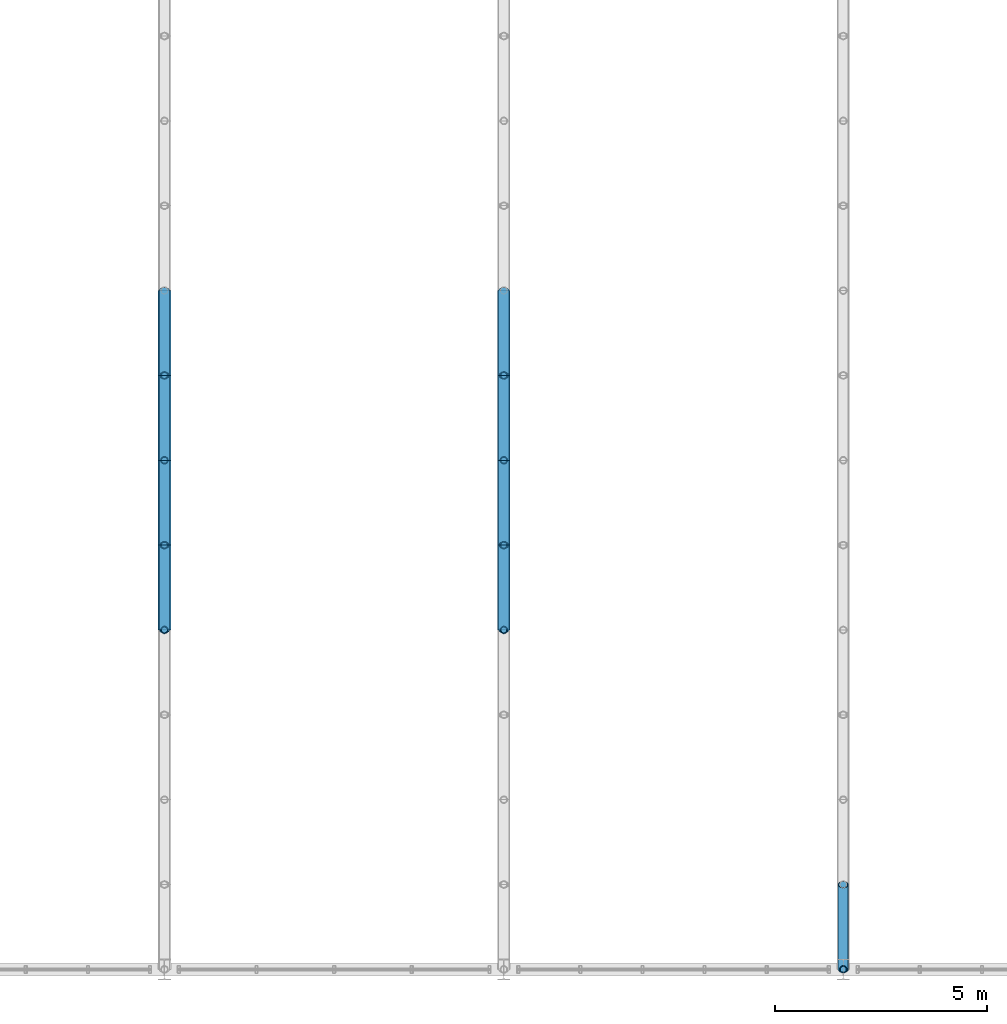
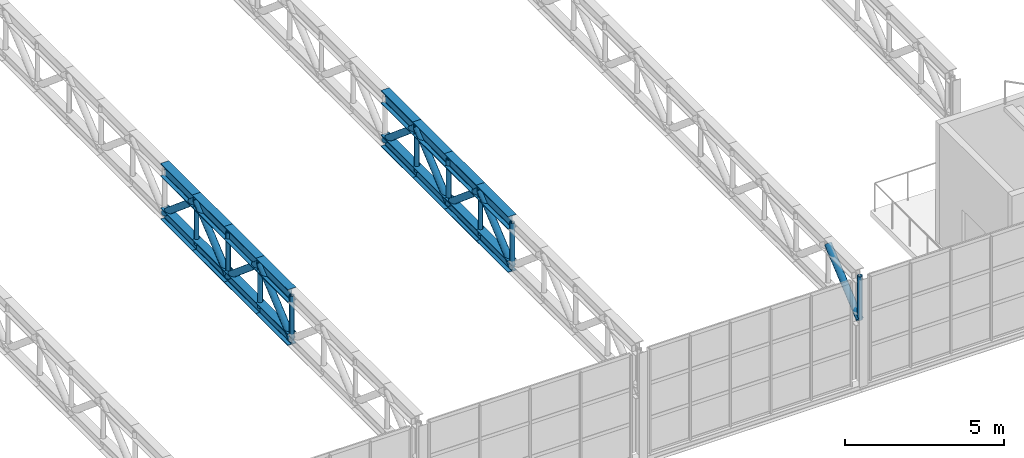
# One storey, part 20 of 67: 34 members.
"""IFC4 building model written with IfcOpenShell, lengths in metres."""

from ifc_helpers import new_model, si_unit, derived_unit, direction, frame, origin, origin_2d, place, context, subcontext, project, spatial, hollow_circle, i_section, extrude, material, material_profile, profile_set, type_object, element, save


model = new_model("IFC4")

# Units and contexts
model_context = context("Model", 3, precision=1e-05, world=origin(), true_north=direction((0.0, 1.0)))
body_context = subcontext(model_context, "Body", "Model", "MODEL_VIEW")
ifc_project = project(units=[si_unit("LENGTHUNIT", "METRE"), si_unit("AREAUNIT", "SQUARE_METRE"), si_unit("VOLUMEUNIT", "CUBIC_METRE"), si_unit("PLANEANGLEUNIT", "RADIAN"), si_unit("MASSUNIT", "GRAM", prefix="KILO"), derived_unit("THERMALTRANSMITTANCEUNIT", [(si_unit("POWERUNIT", "WATT"), 1), (si_unit("LENGTHUNIT", "METRE"), -2), (si_unit("THERMODYNAMICTEMPERATUREUNIT", "KELVIN"), -1)])], contexts=[model_context])

# Site, building, storey
site_placement = place(None, origin())
site = spatial("IfcSite", under=ifc_project, at=site_placement, CompositionType="ELEMENT")
building_placement = place(site_placement, origin())
building = spatial("IfcBuilding", under=site, at=building_placement, Name="Keldorne Ridge Multi-Sports Centre", CompositionType="ELEMENT")
storey_placement = place(building_placement, frame((0.0, 0.0, 14.0)))
storey = spatial("IfcBuildingStorey", under=building, at=storey_placement, Name="L03", CompositionType="ELEMENT", Elevation=14.0)

# Members
ifc_material = material(Name="Steel S355", Category="steel")
ifc_material_profile_1 = material_profile(ifc_material, i_section(OverallWidth=0.300048828125, OverallDepth=0.5, WebThickness=0.014404296875, FlangeThickness=0.028076171875, FilletRadius=0.027099609375, at=origin_2d()), Name="HEB 500")
ifc_profile_set_1 = profile_set([ifc_material_profile_1], Name="Steel S355")
member_type_1 = type_object("IfcMemberType", Name="MEM-TC-03", PredefinedType="CHORD", material=ifc_profile_set_1)
for number, where, z_axis, x_axis, name in (
    (1, (136.0, 14.0, 4.110107421875), (0.0, 1.0, 0.0), (-1.0, 0.0, 0.0), "Stacked Courts Warren TRUSS WT-L04-05 top chord 5"),
    (2, (136.0, 16.0, 4.110107421875), (0.0, 1.0, 0.0), (-1.0, 0.0, 0.0), "Stacked Courts Warren TRUSS WT-L04-05 top chord 6"),
    (3, (136.0, 18.0, 4.110107421875), (0.0, 1.0, 0.0), (-1.0, 0.0, 0.0), "Stacked Courts Warren TRUSS WT-L04-05 top chord 7"),
    (4, (136.0, 20.0, 4.110107421875), (0.0, 1.0, 0.0), (-1.0, 0.0, 0.0), "Stacked Courts Warren TRUSS WT-L04-05 top chord 8"),
    (5, (144.0, 14.0, 4.110107421875), (0.0, 1.0, 0.0), (-1.0, 0.0, 0.0), "Stacked Courts Warren TRUSS WT-L04-06 top chord 5"),
    (6, (144.0, 16.0, 4.110107421875), (0.0, 1.0, 0.0), (-1.0, 0.0, 0.0), "Stacked Courts Warren TRUSS WT-L04-06 top chord 6"),
    (7, (144.0, 18.0, 4.110107421875), (0.0, 1.0, 0.0), (-1.0, 0.0, 0.0), "Stacked Courts Warren TRUSS WT-L04-06 top chord 7"),
    (8, (144.0, 20.0, 4.110107421875), (0.0, 1.0, 0.0), (-1.0, 0.0, 0.0), "Stacked Courts Warren TRUSS WT-L04-06 top chord 8"),
):
    element("IfcMember", number, at=place(storey_placement, frame(where, z_axis=z_axis, x_axis=x_axis)), inside=storey, type_object=member_type_1, Name=name, PredefinedType="CHORD", context=body_context, shape_type="SweptSolid", body=[
        extrude(i_section(OverallWidth=0.300048828125, OverallDepth=0.5, WebThickness=0.014404296875, FlangeThickness=0.028076171875, FilletRadius=0.027099609375, at=origin_2d()), origin(), (0.0, 0.0, 1.0), 2.0),
    ])
ifc_material_profile_2 = material_profile(ifc_material, i_section(OverallWidth=0.300048828125, OverallDepth=0.449951171875, WebThickness=0.013916015625, FlangeThickness=0.02587890625, FilletRadius=0.027099609375, at=origin_2d()), Name="HEB 450")
ifc_profile_set_2 = profile_set([ifc_material_profile_2], Name="Steel S355")
member_type_2 = type_object("IfcMemberType", Name="MEM-TC-04", PredefinedType="CHORD", material=ifc_profile_set_2)
for number, where, z_axis, x_axis, name in (
    (9, (136.0, 14.0, 2.429931640625), (0.0, 1.0, 0.0), (-1.0, 0.0, 0.0), "Stacked Courts Warren TRUSS WT-L04-05 bottom chord 5"),
    (10, (136.0, 16.0, 2.429931640625), (0.0, 1.0, 0.0), (-1.0, 0.0, 0.0), "Stacked Courts Warren TRUSS WT-L04-05 bottom chord 6"),
    (11, (136.0, 18.0, 2.429931640625), (0.0, 1.0, 0.0), (-1.0, 0.0, 0.0), "Stacked Courts Warren TRUSS WT-L04-05 bottom chord 7"),
    (12, (136.0, 20.0, 2.429931640625), (0.0, 1.0, 0.0), (-1.0, 0.0, 0.0), "Stacked Courts Warren TRUSS WT-L04-05 bottom chord 8"),
    (13, (144.0, 14.0, 2.429931640625), (0.0, 1.0, 0.0), (-1.0, 0.0, 0.0), "Stacked Courts Warren TRUSS WT-L04-06 bottom chord 5"),
    (14, (144.0, 16.0, 2.429931640625), (0.0, 1.0, 0.0), (-1.0, 0.0, 0.0), "Stacked Courts Warren TRUSS WT-L04-06 bottom chord 6"),
    (15, (144.0, 18.0, 2.429931640625), (0.0, 1.0, 0.0), (-1.0, 0.0, 0.0), "Stacked Courts Warren TRUSS WT-L04-06 bottom chord 7"),
    (16, (144.0, 20.0, 2.429931640625), (0.0, 1.0, 0.0), (-1.0, 0.0, 0.0), "Stacked Courts Warren TRUSS WT-L04-06 bottom chord 8"),
):
    element("IfcMember", number, at=place(storey_placement, frame(where, z_axis=z_axis, x_axis=x_axis)), inside=storey, type_object=member_type_2, Name=name, PredefinedType="CHORD", context=body_context, shape_type="SweptSolid", body=[
        extrude(i_section(OverallWidth=0.300048828125, OverallDepth=0.449951171875, WebThickness=0.013916015625, FlangeThickness=0.02587890625, FilletRadius=0.027099609375, at=origin_2d()), origin(), (0.0, 0.0, 1.0), 2.0),
    ])
ifc_material_profile_3 = material_profile(ifc_material, hollow_circle(Radius=0.122314453125, WallThickness=0.012451171875, at=origin_2d()), Name="CHS 244.5x12.5")
ifc_profile_set_3 = profile_set([ifc_material_profile_3], Name="Steel S355")
member_type_3 = type_object("IfcMemberType", Name="MEM-TD-02", PredefinedType="BRACE", material=ifc_profile_set_3)
for number, where, z_axis, x_axis, name in (
    (17, (136.0, 14.0, 2.429931640625), (0.0, 0.765671721121, 0.643231541108), (-1.0, 0.0, 0.0), "Stacked Courts Warren TRUSS WT-L04-05 diagonal 5"),
    (18, (136.0, 16.0, 4.110107421875), (0.0, 0.765671721121, -0.643231541108), (-1.0, 0.0, 0.0), "Stacked Courts Warren TRUSS WT-L04-05 diagonal 6"),
    (19, (136.0, 18.0, 2.429931640625), (0.0, 0.765671721121, 0.643231541108), (-1.0, 0.0, 0.0), "Stacked Courts Warren TRUSS WT-L04-05 diagonal 7"),
    (20, (136.0, 20.0, 4.110107421875), (0.0, 0.765671721121, -0.643231541108), (-1.0, 0.0, 0.0), "Stacked Courts Warren TRUSS WT-L04-05 diagonal 8"),
    (21, (144.0, 14.0, 2.429931640625), (0.0, 0.765671721121, 0.643231541108), (-1.0, 0.0, 0.0), "Stacked Courts Warren TRUSS WT-L04-06 diagonal 5"),
    (22, (144.0, 16.0, 4.110107421875), (0.0, 0.765671721121, -0.643231541108), (-1.0, 0.0, 0.0), "Stacked Courts Warren TRUSS WT-L04-06 diagonal 6"),
    (23, (144.0, 18.0, 2.429931640625), (0.0, 0.765671721121, 0.643231541108), (-1.0, 0.0, 0.0), "Stacked Courts Warren TRUSS WT-L04-06 diagonal 7"),
    (24, (144.0, 20.0, 4.110107421875), (0.0, 0.765671721121, -0.643231541108), (-1.0, 0.0, 0.0), "Stacked Courts Warren TRUSS WT-L04-06 diagonal 8"),
    (25, (152.0, 6.0, 2.429931640625), (0.0, 0.765671721121, 0.643231541108), (-1.0, 0.0, 0.0), "Stacked Courts Warren TRUSS WT-L04-07 diagonal 1"),
):
    element("IfcMember", number, at=place(storey_placement, frame(where, z_axis=z_axis, x_axis=x_axis)), inside=storey, type_object=member_type_3, Name=name, PredefinedType="BRACE", context=body_context, shape_type="SweptSolid", body=[
        extrude(hollow_circle(Radius=0.122314453125, WallThickness=0.012451171875, at=origin_2d()), origin(), (0.0, 0.0, 1.0), 2.612060546875),
    ])
ifc_material_profile_4 = material_profile(ifc_material, hollow_circle(Radius=0.084228515625, WallThickness=0.010009765625, at=origin_2d()), Name="CHS 168.3x10")
ifc_profile_set_4 = profile_set([ifc_material_profile_4], Name="Steel S355")
member_type_4 = type_object("IfcMemberType", Name="MEM-TV-01", PredefinedType="STRUT", material=ifc_profile_set_4)
for number, where, z_axis, x_axis, name in (
    (26, (136.0, 14.0, 2.429931640625), (0.0, 0.0, 1.0), (1.0, 0.0, 0.0), "Stacked Courts Warren TRUSS WT-L04-05 post 5"),
    (27, (136.0, 16.0, 2.429931640625), (0.0, 0.0, 1.0), (1.0, 0.0, 0.0), "Stacked Courts Warren TRUSS WT-L04-05 post 6"),
    (28, (136.0, 18.0, 2.429931640625), (0.0, 0.0, 1.0), (1.0, 0.0, 0.0), "Stacked Courts Warren TRUSS WT-L04-05 post 7"),
    (29, (136.0, 20.0, 2.429931640625), (0.0, 0.0, 1.0), (1.0, 0.0, 0.0), "Stacked Courts Warren TRUSS WT-L04-05 post 8"),
    (30, (144.0, 14.0, 2.429931640625), (0.0, 0.0, 1.0), (1.0, 0.0, 0.0), "Stacked Courts Warren TRUSS WT-L04-06 post 5"),
    (31, (144.0, 16.0, 2.429931640625), (0.0, 0.0, 1.0), (1.0, 0.0, 0.0), "Stacked Courts Warren TRUSS WT-L04-06 post 6"),
    (32, (144.0, 18.0, 2.429931640625), (0.0, 0.0, 1.0), (1.0, 0.0, 0.0), "Stacked Courts Warren TRUSS WT-L04-06 post 7"),
    (33, (144.0, 20.0, 2.429931640625), (0.0, 0.0, 1.0), (1.0, 0.0, 0.0), "Stacked Courts Warren TRUSS WT-L04-06 post 8"),
    (34, (152.0, 6.0, 2.429931640625), (0.0, 0.0, 1.0), (1.0, 0.0, 0.0), "Stacked Courts Warren TRUSS WT-L04-07 post 1"),
):
    element("IfcMember", number, at=place(storey_placement, frame(where, z_axis=z_axis, x_axis=x_axis)), inside=storey, type_object=member_type_4, Name=name, PredefinedType="STRUT", context=body_context, shape_type="SweptSolid", body=[
        extrude(hollow_circle(Radius=0.084228515625, WallThickness=0.010009765625, at=origin_2d()), origin(), (0.0, 0.0, 1.0), 1.68017578125),
    ])

save(model, "model.ifc")
